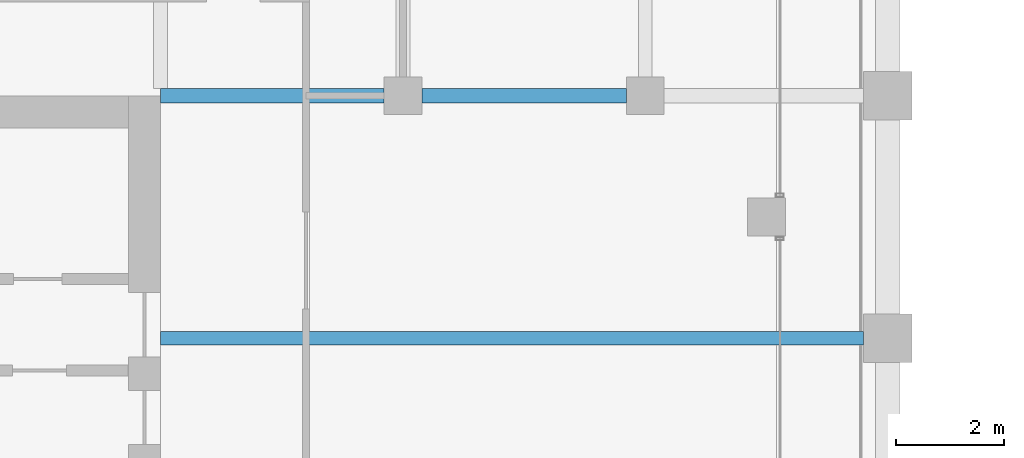
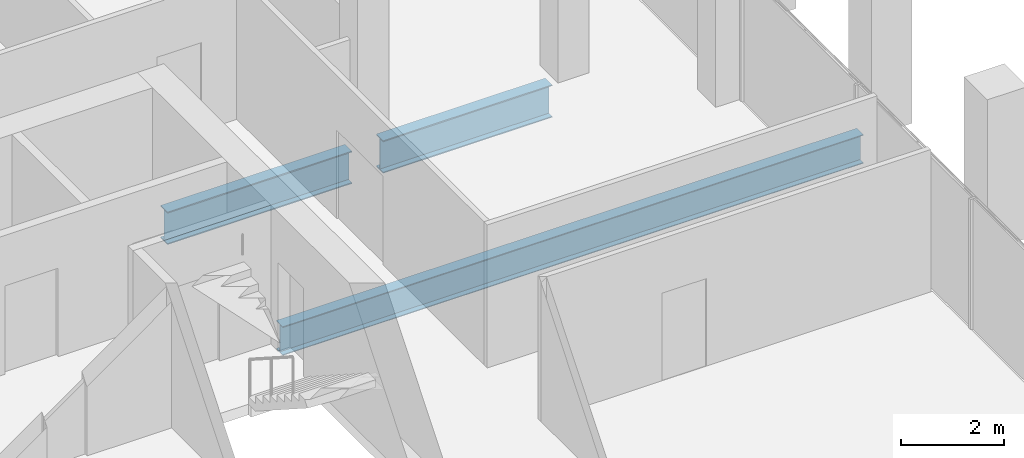
# One storey, part 18 of 40: 3 beams.
"""IFC4 building model written with IfcOpenShell, lengths in metres."""

from ifc_helpers import new_model, si_unit, direction, frame, origin, origin_2d, place, context, subcontext, project, spatial, i_section, extrude, material, material_profile, profile_set, type_object, element, save


model = new_model("IFC4")

# Units and contexts
model_context = context("Model", 3, precision=1e-05, world=origin(), true_north=direction((0.0, 1.0)))
body_context = subcontext(model_context, "Body", "Model", "MODEL_VIEW")
ifc_project = project(units=[si_unit("LENGTHUNIT", "METRE"), si_unit("AREAUNIT", "SQUARE_METRE"), si_unit("VOLUMEUNIT", "CUBIC_METRE"), si_unit("PLANEANGLEUNIT", "RADIAN"), si_unit("MASSUNIT", "GRAM", prefix="KILO")], contexts=[model_context])

# Site, building, storey
site_placement = place(None, origin())
site = spatial("IfcSite", under=ifc_project, at=site_placement, CompositionType="ELEMENT")
building_placement = place(site_placement, origin())
building = spatial("IfcBuilding", under=site, at=building_placement, Name="Altepetl Exchange Towers", CompositionType="ELEMENT")
storey_placement = place(building_placement, frame((0.0, 0.0, 187.0)))
storey = spatial("IfcBuildingStorey", under=building, at=storey_placement, Name="L47", CompositionType="ELEMENT", Elevation=187.0)

# Beams
ifc_material = material(Name="Steel S355", Category="steel")
ifc_material_profile_1 = material_profile(ifc_material, i_section(OverallWidth=0.25390625, OverallDepth=0.68408203125, WebThickness=0.012451171875, FlangeThickness=0.018798828125, at=origin_2d()), Name="W27X94")
ifc_profile_set_1 = profile_set([ifc_material_profile_1], Name="Steel S355")
beam_type_1 = type_object("IfcBeamType", Name="Floor beam W27X94", PredefinedType="BEAM", material=ifc_profile_set_1)
beam_1_placement = place(storey_placement, frame((58.5, 54.0, -0.491943359375), z_axis=(1.0, 0.0, 0.0), x_axis=(0.0, 1.0, 0.0)))
element("IfcBeam", 1, at=beam_1_placement, inside=storey, type_object=beam_type_1, Name="bm:A:L47:011", PredefinedType="BEAM", context=body_context, shape_type="SweptSolid", body=[
    extrude(i_section(OverallWidth=0.25390625, OverallDepth=0.68408203125, WebThickness=0.012451171875, FlangeThickness=0.018798828125, at=origin_2d()), origin(), (0.0, 0.0, 1.0), 13.050048828125),
])
ifc_material_profile_2 = material_profile(ifc_material, i_section(OverallWidth=0.26806640625, OverallDepth=0.77392578125, WebThickness=0.015380859375, FlangeThickness=0.025390625, at=origin_2d()), Name="W30X132")
ifc_profile_set_2 = profile_set([ifc_material_profile_2], Name="Steel S355")
beam_type_2 = type_object("IfcBeamType", Name="Girder W30X132", PredefinedType="BEAM", material=ifc_profile_set_2)
beam_2_placement = place(storey_placement, frame((58.5, 58.5, -0.537109375), z_axis=(1.0, 0.0, 0.0), x_axis=(0.0, 1.0, 0.0)))
element("IfcBeam", 2, at=beam_2_placement, inside=storey, type_object=beam_type_2, Name="gd:A:L47:000", PredefinedType="BEAM", context=body_context, shape_type="SweptSolid", body=[
    extrude(i_section(OverallWidth=0.26806640625, OverallDepth=0.77392578125, WebThickness=0.015380859375, FlangeThickness=0.025390625, at=origin_2d()), origin(), (0.0, 0.0, 1.0), 4.14990234375),
])
beam_3_placement = place(storey_placement, frame((63.35009765625, 58.5, -0.537109375), z_axis=(1.0, 0.0, 0.0), x_axis=(0.0, 1.0, 0.0)))
element("IfcBeam", 3, at=beam_3_placement, inside=storey, type_object=beam_type_2, Name="gd:A:L47:001", PredefinedType="BEAM", context=body_context, shape_type="SweptSolid", body=[
    extrude(i_section(OverallWidth=0.26806640625, OverallDepth=0.77392578125, WebThickness=0.015380859375, FlangeThickness=0.025390625, at=origin_2d()), origin(), (0.0, 0.0, 1.0), 3.7998046875),
])

save(model, "model.ifc")
